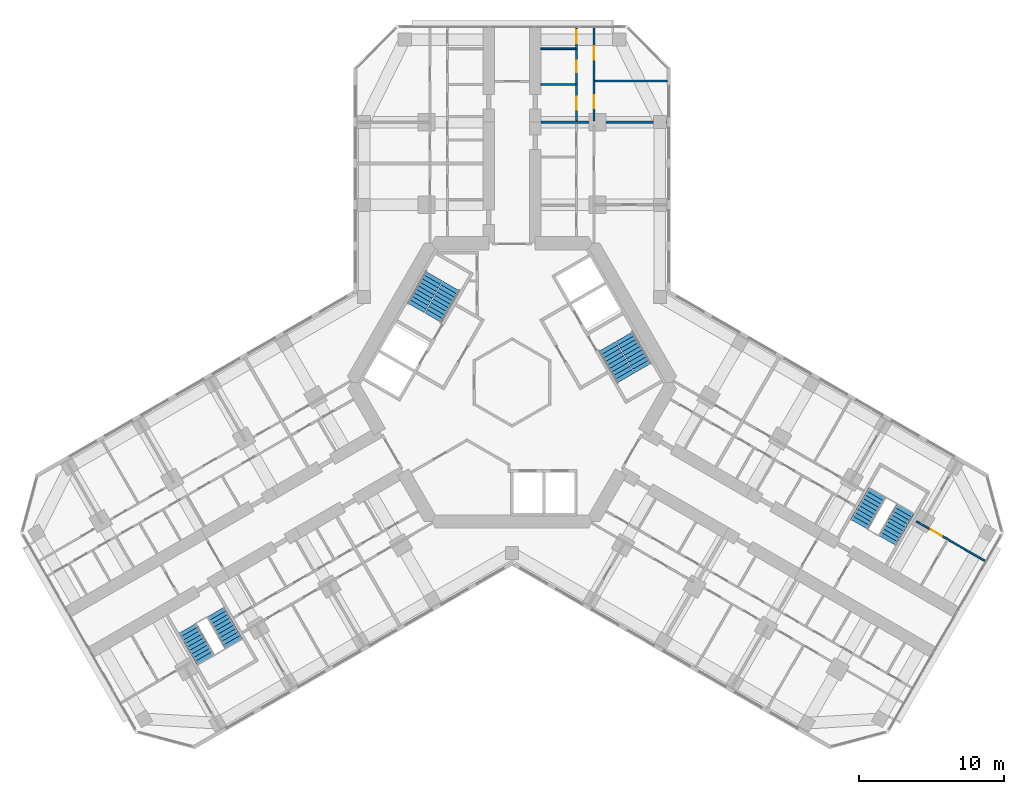
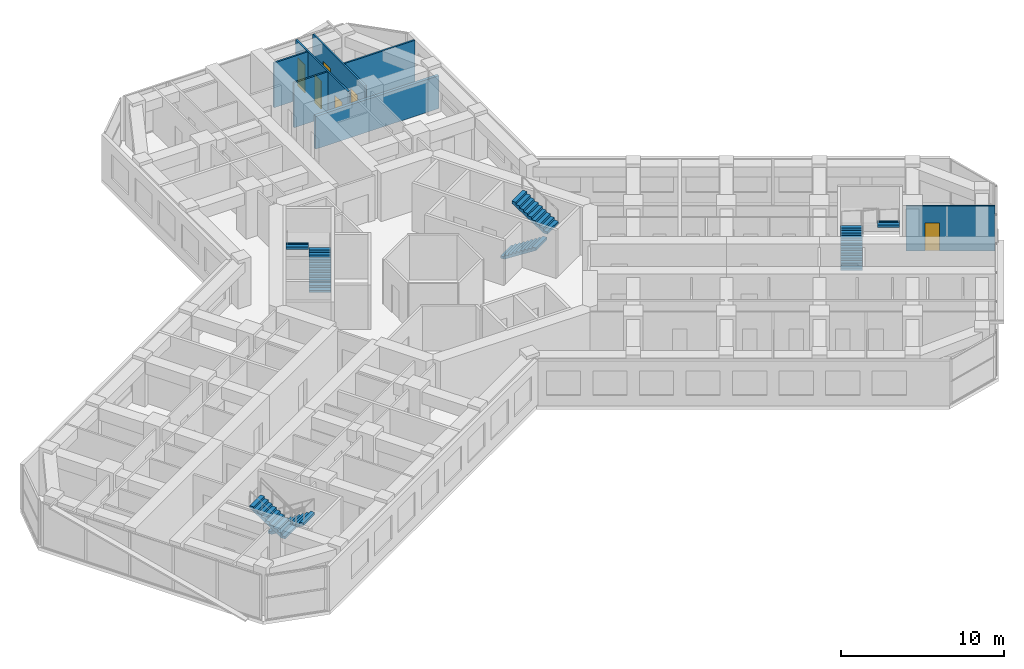
# One storey, part 18 of 19: 8 stair flights, 7 walls, 6 doors, 6 openings, 4 elements without a shape of their own.
"""IFC4 building model written with IfcOpenShell, lengths in metres."""

from ifc_helpers import new_model, si_unit, direction, frame, frame_2d, origin, place, context, subcontext, project, spatial, polyline, rectangle, outline, extrude, material, layer, layer_set, type_object, element, fill, aggregate, save


model = new_model("IFC4")

# Units and contexts
model_context = context("Model", 3, precision=1e-05, world=origin(), true_north=direction((0.0, 1.0)))
body_context = subcontext(model_context, "Body", "Model", "MODEL_VIEW")
ifc_project = project(units=[si_unit("LENGTHUNIT", "METRE"), si_unit("AREAUNIT", "SQUARE_METRE"), si_unit("VOLUMEUNIT", "CUBIC_METRE"), si_unit("PLANEANGLEUNIT", "RADIAN"), si_unit("MASSUNIT", "GRAM", prefix="KILO")], contexts=[model_context])

# Site, building, storey
site_placement = place(None, origin())
site = spatial("IfcSite", under=ifc_project, at=site_placement, CompositionType="ELEMENT")
building_placement = place(site_placement, origin())
building = spatial("IfcBuilding", under=site, at=building_placement, Name="Kosmar Iwan School Tower", CompositionType="ELEMENT")
storey_placement = place(building_placement, frame((0.0, 0.0, 134.60009765625)))
storey = spatial("IfcBuildingStorey", under=building, at=storey_placement, Name="L33", CompositionType="ELEMENT", Elevation=134.60009765625)

# Wall, openings, doors
ifc_material_1 = material(Name="Gypsum board on steel studs", Category="steel")
ifc_layer_1 = layer(ifc_material_1, 0.1201171875)
ifc_layer_set_1 = layer_set([ifc_layer_1], Name="Dwelling partition 120")
wall_type_1 = type_object("IfcWallType", Name="Dwelling partition 120", PredefinedType="PARTITIONING", material=ifc_layer_set_1)
wall_1_placement = place(storey_placement, frame((4.449951171875, 18.050048828125, 0.0), z_axis=(0.0, 0.0, 1.0), x_axis=(0.0, 1.0, 0.0)))
wall_1 = element("IfcWall", 1, at=wall_1_placement, inside=storey, type_object=wall_type_1, Name="Partition L33-AR2-W1", PredefinedType="PARTITIONING", context=body_context, shape_type="SweptSolid", body=[
    extrude(rectangle(XDim=6.39501953125, YDim=0.1201171875, at=frame_2d((3.197509765625, 0.0))), origin(), (0.0, 0.0, 1.0), 3.349853515625),
])
opening_1_placement = place(wall_1_placement, frame((0.75, 0.0, 0.0)))
opening_1 = element("IfcOpeningElement", 2, at=opening_1_placement, cuts=wall_1, Name="Opening D2", PredefinedType="OPENING", context=body_context, shape_type="SweptSolid", body=[
    extrude(rectangle(XDim=0.89990234375, YDim=2.10009765625, at=frame_2d((0.449951171875, 1.050048828125))), frame((0.0, 0.072021484375, 0.0), z_axis=(0.0, -1.0, 0.0), x_axis=(1.0, 0.0, 0.0)), (0.0, 0.0, 1.0), 0.14404296875),
])
opening_2_placement = place(wall_1_placement, frame((3.330078125, 0.0, 0.0)))
opening_2 = element("IfcOpeningElement", 3, at=opening_2_placement, cuts=wall_1, Name="Opening D3", PredefinedType="OPENING", context=body_context, shape_type="SweptSolid", body=[
    extrude(rectangle(XDim=0.800048828125, YDim=2.10009765625, at=frame_2d((0.39990234375, 1.050048828125))), frame((0.0, 0.072021484375, 0.0), z_axis=(0.0, -1.0, 0.0), x_axis=(1.0, 0.0, 0.0)), (0.0, 0.0, 1.0), 0.14404296875),
])
opening_3_placement = place(wall_1_placement, frame((5.330078125, 0.0, 0.0)))
opening_3 = element("IfcOpeningElement", 4, at=opening_3_placement, cuts=wall_1, Name="Opening D2", PredefinedType="OPENING", context=body_context, shape_type="SweptSolid", body=[
    extrude(rectangle(XDim=0.89990234375, YDim=2.10009765625, at=frame_2d((0.449951171875, 1.050048828125))), frame((0.0, 0.072021484375, 0.0), z_axis=(0.0, -1.0, 0.0), x_axis=(1.0, 0.0, 0.0)), (0.0, 0.0, 1.0), 0.14404296875),
])
ifc_material_2 = material(Name="Timber door in timber frame", Category="wood")
door_type_1 = type_object("IfcDoorType", Name="Internal door 900x2100", OperationType="SINGLE_SWING_LEFT", PredefinedType="DOOR", material=ifc_material_2)
door_1_placement = place(opening_1_placement, origin())
door_1 = element("IfcDoor", 5, at=door_1_placement, inside=storey, type_object=door_type_1, Name="Entrance hall door L33-AR2-S1", OperationType="SINGLE_SWING_LEFT", OverallHeight=2.10009765625, OverallWidth=0.89990234375, PredefinedType="DOOR", context=body_context, shape_type="SweptSolid", body=[
    extrude(rectangle(XDim=0.89990234375, YDim=2.10009765625, at=frame_2d((0.449951171875, 1.050048828125))), frame((0.0, 0.02490234375, 0.0), z_axis=(0.0, -1.0, 0.0), x_axis=(1.0, 0.0, 0.0)), (0.0, 0.0, 1.0), 0.050048828125),
])
fill(opening_1, door_1)
door_2_placement = place(opening_3_placement, origin())
door_2 = element("IfcDoor", 6, at=door_2_placement, inside=storey, type_object=door_type_1, Name="Pantry door L33-AR2-S3", OperationType="SINGLE_SWING_RIGHT", OverallHeight=2.10009765625, OverallWidth=0.89990234375, PredefinedType="DOOR", context=body_context, shape_type="SweptSolid", body=[
    extrude(rectangle(XDim=0.89990234375, YDim=2.10009765625, at=frame_2d((0.449951171875, 1.050048828125))), frame((0.0, 0.02490234375, 0.0), z_axis=(0.0, -1.0, 0.0), x_axis=(1.0, 0.0, 0.0)), (0.0, 0.0, 1.0), 0.050048828125),
])
fill(opening_3, door_2)
ifc_material_3 = material(Name="Timber door in timber frame", Category="wood")
door_type_2 = type_object("IfcDoorType", Name="Sanitary room door 800x2100", OperationType="SINGLE_SWING_LEFT", PredefinedType="DOOR", material=ifc_material_3)
door_3_placement = place(opening_2_placement, origin())
door_3 = element("IfcDoor", 7, at=door_3_placement, inside=storey, type_object=door_type_2, Name="Bathroom door L33-AR2-S2", OperationType="SINGLE_SWING_RIGHT", OverallHeight=2.10009765625, OverallWidth=0.800048828125, PredefinedType="DOOR", context=body_context, shape_type="SweptSolid", body=[
    extrude(rectangle(XDim=0.800048828125, YDim=2.10009765625, at=frame_2d((0.39990234375, 1.050048828125))), frame((0.0, 0.02490234375, 0.0), z_axis=(0.0, -1.0, 0.0), x_axis=(1.0, 0.0, 0.0)), (0.0, 0.0, 1.0), 0.050048828125),
])
fill(opening_2, door_3)

wall_2_placement = place(storey_placement, frame((5.64990234375, 18.050048828125, 0.0), z_axis=(0.0, 0.0, 1.0), x_axis=(0.0, 1.0, 0.0)))
wall_2 = element("IfcWall", 8, at=wall_2_placement, inside=storey, type_object=wall_type_1, Name="Partition L33-AR2-W2", PredefinedType="PARTITIONING", context=body_context, shape_type="SweptSolid", body=[
    extrude(rectangle(XDim=6.39501953125, YDim=0.1201171875, at=frame_2d((3.197509765625, 0.0))), origin(), (0.0, 0.0, 1.0), 3.349853515625),
])
opening_4_placement = place(wall_2_placement, frame((0.875, 0.0, 0.0)))
opening_4 = element("IfcOpeningElement", 9, at=opening_4_placement, cuts=wall_2, Name="Opening D2", PredefinedType="OPENING", context=body_context, shape_type="SweptSolid", body=[
    extrude(rectangle(XDim=0.89990234375, YDim=2.10009765625, at=frame_2d((0.449951171875, 1.050048828125))), frame((0.0, 0.072021484375, 0.0), z_axis=(0.0, -1.0, 0.0), x_axis=(1.0, 0.0, 0.0)), (0.0, 0.0, 1.0), 0.14404296875),
])
opening_5_placement = place(wall_2_placement, frame((4.22509765625, 0.0, 0.0)))
opening_5 = element("IfcOpeningElement", 10, at=opening_5_placement, cuts=wall_2, Name="Opening D2", PredefinedType="OPENING", context=body_context, shape_type="SweptSolid", body=[
    extrude(rectangle(XDim=0.89990234375, YDim=2.10009765625, at=frame_2d((0.449951171875, 1.050048828125))), frame((0.0, 0.072021484375, 0.0), z_axis=(0.0, -1.0, 0.0), x_axis=(1.0, 0.0, 0.0)), (0.0, 0.0, 1.0), 0.14404296875),
])
door_4_placement = place(opening_4_placement, origin())
door_4 = element("IfcDoor", 11, at=door_4_placement, inside=storey, type_object=door_type_1, Name="Family room and kitchen door L33-AR2-F1", OperationType="SINGLE_SWING_LEFT", OverallHeight=2.10009765625, OverallWidth=0.89990234375, PredefinedType="DOOR", context=body_context, shape_type="SweptSolid", body=[
    extrude(rectangle(XDim=0.89990234375, YDim=2.10009765625, at=frame_2d((0.449951171875, 1.050048828125))), frame((0.0, 0.02490234375, 0.0), z_axis=(0.0, -1.0, 0.0), x_axis=(1.0, 0.0, 0.0)), (0.0, 0.0, 1.0), 0.050048828125),
])
fill(opening_4, door_4)
door_5_placement = place(opening_5_placement, origin())
door_5 = element("IfcDoor", 12, at=door_5_placement, inside=storey, type_object=door_type_1, Name="Bedroom 1 door L33-AR2-F2", OperationType="SINGLE_SWING_RIGHT", OverallHeight=2.10009765625, OverallWidth=0.89990234375, PredefinedType="DOOR", context=body_context, shape_type="SweptSolid", body=[
    extrude(rectangle(XDim=0.89990234375, YDim=2.10009765625, at=frame_2d((0.449951171875, 1.050048828125))), frame((0.0, 0.02490234375, 0.0), z_axis=(0.0, -1.0, 0.0), x_axis=(1.0, 0.0, 0.0)), (0.0, 0.0, 1.0), 0.050048828125),
])
fill(opening_5, door_5)

# Walls
wall_3_placement = place(storey_placement, frame((5.7099609375, 20.800048828125, 0.0), z_axis=(0.0, 0.0, 1.0), x_axis=(1.0, 0.0, 0.0)))
element("IfcWall", 13, at=wall_3_placement, inside=storey, type_object=wall_type_1, Name="Partition L33-AR2-X1", PredefinedType="PARTITIONING", context=body_context, shape_type="SweptSolid", body=[
    extrude(rectangle(XDim=4.989990234375, YDim=0.1201171875, at=frame_2d((2.4951171875, 0.0))), origin(), (0.0, 0.0, 1.0), 3.349853515625),
])
for number, where, z_axis, x_axis, name in (
    (14, (2.0, 20.550048828125, 0.0), (0.0, 0.0, 1.0), (1.0, 0.0, 0.0), "Partition L33-AR2-Y1"),
    (15, (2.0, 23.010009765625, 0.0), (0.0, 0.0, 1.0), (1.0, 0.0, 0.0), "Partition L33-AR2-Y2"),
):
    element("IfcWall", number, at=place(storey_placement, frame(where, z_axis=z_axis, x_axis=x_axis)), inside=storey, type_object=wall_type_1, Name=name, PredefinedType="PARTITIONING", context=body_context, shape_type="SweptSolid", body=[
        extrude(rectangle(XDim=2.389892578125, YDim=0.1201171875, at=frame_2d((1.19482421875, 0.0))), origin(), (0.0, 0.0, 1.0), 3.349853515625),
    ])

# Wall, opening, door
wall_4_placement = place(storey_placement, frame((27.896484375, -9.58203125, 0.0), z_axis=(0.0, 0.0, 1.0), x_axis=(0.866035508231, -0.499982498177, 0.0)))
wall_4 = element("IfcWall", 16, at=wall_4_placement, inside=storey, type_object=wall_type_1, Name="Partition L33-CL2-TW", PredefinedType="PARTITIONING", context=body_context, shape_type="SweptSolid", body=[
    extrude(rectangle(XDim=5.445068359375, YDim=0.1201171875, at=frame_2d((2.72265625, 0.0))), origin(), (0.0, 0.0, 1.0), 3.349853515625),
])
opening_6_placement = place(wall_4_placement, frame((1.14990234375, 0.0, 0.0)))
opening_6 = element("IfcOpeningElement", 17, at=opening_6_placement, cuts=wall_4, Name="Opening D2", PredefinedType="OPENING", context=body_context, shape_type="SweptSolid", body=[
    extrude(rectangle(XDim=0.89990234375, YDim=2.10009765625, at=frame_2d((0.449951171875, 1.050048828125))), frame((0.0, 0.072021484375, 0.0), z_axis=(0.0, -1.0, 0.0), x_axis=(1.0, 0.0, 0.0)), (0.0, 0.0, 1.0), 0.14404296875),
])
door_6_placement = place(opening_6_placement, origin())
door_6 = element("IfcDoor", 18, at=door_6_placement, inside=storey, type_object=door_type_1, Name="Dressing room door L33-CL2-T3", OperationType="SINGLE_SWING_LEFT", OverallHeight=2.10009765625, OverallWidth=0.89990234375, PredefinedType="DOOR", context=body_context, shape_type="SweptSolid", body=[
    extrude(rectangle(XDim=0.89990234375, YDim=2.10009765625, at=frame_2d((0.449951171875, 1.050048828125))), frame((0.0, 0.02490234375, 0.0), z_axis=(0.0, -1.0, 0.0), x_axis=(1.0, 0.0, 0.0)), (0.0, 0.0, 1.0), 0.050048828125),
])
fill(opening_6, door_6)

# Wall
ifc_material_4 = material(Name="Concrete block masonry", Category="masonry")
ifc_layer_2 = layer(ifc_material_4, 0.199951171875)
ifc_layer_set_2 = layer_set([ifc_layer_2], Name="Party wall 200")
wall_type_2 = type_object("IfcWallType", Name="Party wall 200", PredefinedType="PARTITIONING", material=ifc_layer_set_2)
wall_5_placement = place(storey_placement, frame((2.0, 17.949951171875, 0.0), z_axis=(0.0, 0.0, 1.0), x_axis=(1.0, 0.0, 0.0)))
element("IfcWall", 19, at=wall_5_placement, inside=storey, type_object=wall_type_2, Name="Partition L33-AR2-PW", PredefinedType="PARTITIONING", context=body_context, shape_type="SweptSolid", body=[
    extrude(rectangle(XDim=8.699951171875, YDim=0.199951171875, at=frame_2d((4.35009765625, 0.0))), origin(), (0.0, 0.0, 1.0), 2.449951171875),
])

# Stair, stair flights
ifc_material_5 = material(Name="Concrete C35/45", Category="concrete")
stair_type_1 = type_object("IfcStairType", Name="Escape stair 3600", PredefinedType="HALF_TURN_STAIR", material=ifc_material_5)
stair_1_placement = place(storey_placement, origin())
stair_1 = element("IfcStair", 20, at=stair_1_placement, inside=storey, type_object=stair_type_1, Name="Stair WS2 L33", PredefinedType="HALF_TURN_STAIR")
ifc_material_6 = material(Name="Concrete C35/45", Category="concrete")
stair_flight_type_1 = type_object("IfcStairFlightType", Name="Escape stair flight 1350", PredefinedType="STRAIGHT", material=ifc_material_6)
stair_flight_1_placement = place(storey_placement, frame((-20.44189453125, -15.843505859375, 0.0), z_axis=(0.0, 0.0, 1.0), x_axis=(0.5, -0.866025403784, 0.0)))
stair_flight_1 = element("IfcStairFlight", 21, at=stair_flight_1_placement, type_object=stair_flight_type_1, Name="WS2 flight 1", NumberOfRisers=10, NumberOfTreads=9, PredefinedType="STRAIGHT", RiserHeight=0.18, TreadLength=0.28, context=body_context, shape_type="SweptSolid", body=[
    extrude(outline(polyline([(0.0, 0.0), (0.0, 0.179931640625), (0.280029296875, 0.179931640625), (0.280029296875, 0.360107421875), (0.56005859375, 0.360107421875), (0.56005859375, 0.5400390625), (0.840087890625, 0.5400390625), (0.840087890625, 0.719970703125), (1.1201171875, 0.719970703125), (1.1201171875, 0.89990234375), (1.39990234375, 0.89990234375), (1.39990234375, 1.080078125), (1.679931640625, 1.080078125), (1.679931640625, 1.260009765625), (1.9599609375, 1.260009765625), (1.9599609375, 1.43994140625), (2.239990234375, 1.43994140625), (2.239990234375, 1.6201171875), (2.52001953125, 1.6201171875), (2.52001953125, 1.800048828125), (2.52001953125, 1.44189453125), (0.277099609375, 0.0), (0.0, 0.0)])), frame((0.0, 0.675048828125, 0.0), z_axis=(0.0, -1.0, 0.0), x_axis=(1.0, 0.0, 0.0)), (0.0, 0.0, 1.0), 1.35009765625),
])
stair_flight_2_placement = place(storey_placement, frame((-21.13037109375, -19.15087890625, 1.7998046875), z_axis=(0.0, 0.0, 1.0), x_axis=(-0.5, 0.866025403784, 0.0)))
stair_flight_2 = element("IfcStairFlight", 22, at=stair_flight_2_placement, type_object=stair_flight_type_1, Name="WS2 flight 2", NumberOfRisers=10, NumberOfTreads=9, PredefinedType="STRAIGHT", RiserHeight=0.18, TreadLength=0.28, context=body_context, shape_type="SweptSolid", body=[
    extrude(outline(polyline([(0.0, 0.0), (0.0, 0.179931640625), (0.280029296875, 0.179931640625), (0.280029296875, 0.360107421875), (0.56005859375, 0.360107421875), (0.56005859375, 0.5400390625), (0.840087890625, 0.5400390625), (0.840087890625, 0.719970703125), (1.1201171875, 0.719970703125), (1.1201171875, 0.89990234375), (1.39990234375, 0.89990234375), (1.39990234375, 1.080078125), (1.679931640625, 1.080078125), (1.679931640625, 1.260009765625), (1.9599609375, 1.260009765625), (1.9599609375, 1.43994140625), (2.239990234375, 1.43994140625), (2.239990234375, 1.6201171875), (2.52001953125, 1.6201171875), (2.52001953125, 1.800048828125), (2.52001953125, 1.44189453125), (0.277099609375, 0.0), (0.0, 0.0)])), frame((0.0, 0.675048828125, 0.0), z_axis=(0.0, -1.0, 0.0), x_axis=(1.0, 0.0, 0.0)), (0.0, 0.0, 1.0), 1.35009765625),
])
aggregate(stair_1, [stair_flight_1, stair_flight_2])

stair_2_placement = place(storey_placement, origin())
stair_2 = element("IfcStair", 23, at=stair_2_placement, inside=storey, type_object=stair_type_1, Name="Stair WS3 L33", PredefinedType="HALF_TURN_STAIR")
stair_flight_3_placement = place(storey_placement, frame((23.94189453125, -9.781494140625, 0.0), z_axis=(0.0, 0.0, 1.0), x_axis=(0.5, 0.866025403784, 0.0)))
stair_flight_3 = element("IfcStairFlight", 24, at=stair_flight_3_placement, type_object=stair_flight_type_1, Name="WS3 flight 1", NumberOfRisers=10, NumberOfTreads=9, PredefinedType="STRAIGHT", RiserHeight=0.18, TreadLength=0.28, context=body_context, shape_type="SweptSolid", body=[
    extrude(outline(polyline([(0.0, 0.0), (0.0, 0.179931640625), (0.280029296875, 0.179931640625), (0.280029296875, 0.360107421875), (0.56005859375, 0.360107421875), (0.56005859375, 0.5400390625), (0.840087890625, 0.5400390625), (0.840087890625, 0.719970703125), (1.1201171875, 0.719970703125), (1.1201171875, 0.89990234375), (1.39990234375, 0.89990234375), (1.39990234375, 1.080078125), (1.679931640625, 1.080078125), (1.679931640625, 1.260009765625), (1.9599609375, 1.260009765625), (1.9599609375, 1.43994140625), (2.239990234375, 1.43994140625), (2.239990234375, 1.6201171875), (2.52001953125, 1.6201171875), (2.52001953125, 1.800048828125), (2.52001953125, 1.44189453125), (0.277099609375, 0.0), (0.0, 0.0)])), frame((0.0, 0.675048828125, 0.0), z_axis=(0.0, -1.0, 0.0), x_axis=(1.0, 0.0, 0.0)), (0.0, 0.0, 1.0), 1.35009765625),
])
stair_flight_4_placement = place(storey_placement, frame((27.150390625, -8.72412109375, 1.7998046875), z_axis=(0.0, 0.0, 1.0), x_axis=(-0.5, -0.866025403784, 0.0)))
stair_flight_4 = element("IfcStairFlight", 25, at=stair_flight_4_placement, type_object=stair_flight_type_1, Name="WS3 flight 2", NumberOfRisers=10, NumberOfTreads=9, PredefinedType="STRAIGHT", RiserHeight=0.18, TreadLength=0.28, context=body_context, shape_type="SweptSolid", body=[
    extrude(outline(polyline([(0.0, 0.0), (0.0, 0.179931640625), (0.280029296875, 0.179931640625), (0.280029296875, 0.360107421875), (0.56005859375, 0.360107421875), (0.56005859375, 0.5400390625), (0.840087890625, 0.5400390625), (0.840087890625, 0.719970703125), (1.1201171875, 0.719970703125), (1.1201171875, 0.89990234375), (1.39990234375, 0.89990234375), (1.39990234375, 1.080078125), (1.679931640625, 1.080078125), (1.679931640625, 1.260009765625), (1.9599609375, 1.260009765625), (1.9599609375, 1.43994140625), (2.239990234375, 1.43994140625), (2.239990234375, 1.6201171875), (2.52001953125, 1.6201171875), (2.52001953125, 1.800048828125), (2.52001953125, 1.44189453125), (0.277099609375, 0.0), (0.0, 0.0)])), frame((0.0, 0.675048828125, 0.0), z_axis=(0.0, -1.0, 0.0), x_axis=(1.0, 0.0, 0.0)), (0.0, 0.0, 1.0), 1.35009765625),
])
aggregate(stair_2, [stair_flight_3, stair_flight_4])

ifc_material_7 = material(Name="Concrete C35/45", Category="concrete")
stair_type_2 = type_object("IfcStairType", Name="Core stair 2750", PredefinedType="HALF_TURN_STAIR", material=ifc_material_7)
stair_3_placement = place(storey_placement, origin())
stair_3 = element("IfcStair", 26, at=stair_3_placement, inside=storey, type_object=stair_type_2, Name="Stair ST2 L33", PredefinedType="HALF_TURN_STAIR")
ifc_material_8 = material(Name="Concrete C35/45", Category="concrete")
stair_flight_type_2 = type_object("IfcStairFlightType", Name="Stair flight 1350", PredefinedType="STRAIGHT", material=ifc_material_8)
stair_flight_5_placement = place(storey_placement, frame((-5.42724609375, 4.44970703125, 0.0), z_axis=(0.0, 0.0, 1.0), x_axis=(0.5, 0.866025403784, 0.0)))
stair_flight_5 = element("IfcStairFlight", 27, at=stair_flight_5_placement, type_object=stair_flight_type_2, Name="ST2 flight 1", NumberOfRisers=10, NumberOfTreads=9, PredefinedType="STRAIGHT", RiserHeight=0.18, TreadLength=0.28, context=body_context, shape_type="SweptSolid", body=[
    extrude(outline(polyline([(0.0, 0.0), (0.0, 0.179931640625), (0.280029296875, 0.179931640625), (0.280029296875, 0.360107421875), (0.56005859375, 0.360107421875), (0.56005859375, 0.5400390625), (0.840087890625, 0.5400390625), (0.840087890625, 0.719970703125), (1.1201171875, 0.719970703125), (1.1201171875, 0.89990234375), (1.39990234375, 0.89990234375), (1.39990234375, 1.080078125), (1.679931640625, 1.080078125), (1.679931640625, 1.260009765625), (1.9599609375, 1.260009765625), (1.9599609375, 1.43994140625), (2.239990234375, 1.43994140625), (2.239990234375, 1.6201171875), (2.52001953125, 1.6201171875), (2.52001953125, 1.800048828125), (2.52001953125, 1.44189453125), (0.277099609375, 0.0), (0.0, 0.0)])), frame((0.0, 0.675048828125, 0.0), z_axis=(0.0, -1.0, 0.0), x_axis=(1.0, 0.0, 0.0)), (0.0, 0.0, 1.0), 1.35009765625),
])
stair_flight_6_placement = place(storey_placement, frame((-5.379638671875, 7.33203125, 1.7998046875), z_axis=(0.0, 0.0, 1.0), x_axis=(-0.5, -0.866025403784, 0.0)))
stair_flight_6 = element("IfcStairFlight", 28, at=stair_flight_6_placement, type_object=stair_flight_type_2, Name="ST2 flight 2", NumberOfRisers=10, NumberOfTreads=9, PredefinedType="STRAIGHT", RiserHeight=0.18, TreadLength=0.28, context=body_context, shape_type="SweptSolid", body=[
    extrude(outline(polyline([(0.0, 0.0), (0.0, 0.179931640625), (0.280029296875, 0.179931640625), (0.280029296875, 0.360107421875), (0.56005859375, 0.360107421875), (0.56005859375, 0.5400390625), (0.840087890625, 0.5400390625), (0.840087890625, 0.719970703125), (1.1201171875, 0.719970703125), (1.1201171875, 0.89990234375), (1.39990234375, 0.89990234375), (1.39990234375, 1.080078125), (1.679931640625, 1.080078125), (1.679931640625, 1.260009765625), (1.9599609375, 1.260009765625), (1.9599609375, 1.43994140625), (2.239990234375, 1.43994140625), (2.239990234375, 1.6201171875), (2.52001953125, 1.6201171875), (2.52001953125, 1.800048828125), (2.52001953125, 1.44189453125), (0.277099609375, 0.0), (0.0, 0.0)])), frame((0.0, 0.675048828125, 0.0), z_axis=(0.0, -1.0, 0.0), x_axis=(1.0, 0.0, 0.0)), (0.0, 0.0, 1.0), 1.35009765625),
])
aggregate(stair_3, [stair_flight_5, stair_flight_6])

stair_4_placement = place(storey_placement, origin())
stair_4 = element("IfcStair", 29, at=stair_4_placement, inside=storey, type_object=stair_type_2, Name="Stair ST1 L33", PredefinedType="HALF_TURN_STAIR")
stair_flight_7_placement = place(storey_placement, frame((6.567138671875, 2.475341796875, 0.0), z_axis=(0.0, 0.0, 1.0), x_axis=(0.5, -0.866025403784, 0.0)))
stair_flight_7 = element("IfcStairFlight", 30, at=stair_flight_7_placement, type_object=stair_flight_type_2, Name="ST1 flight 1", NumberOfRisers=10, NumberOfTreads=9, PredefinedType="STRAIGHT", RiserHeight=0.18, TreadLength=0.28, context=body_context, shape_type="SweptSolid", body=[
    extrude(outline(polyline([(0.0, 0.0), (0.0, 0.179931640625), (0.280029296875, 0.179931640625), (0.280029296875, 0.360107421875), (0.56005859375, 0.360107421875), (0.56005859375, 0.5400390625), (0.840087890625, 0.5400390625), (0.840087890625, 0.719970703125), (1.1201171875, 0.719970703125), (1.1201171875, 0.89990234375), (1.39990234375, 0.89990234375), (1.39990234375, 1.080078125), (1.679931640625, 1.080078125), (1.679931640625, 1.260009765625), (1.9599609375, 1.260009765625), (1.9599609375, 1.43994140625), (2.239990234375, 1.43994140625), (2.239990234375, 1.6201171875), (2.52001953125, 1.6201171875), (2.52001953125, 1.800048828125), (2.52001953125, 1.44189453125), (0.277099609375, 0.0), (0.0, 0.0)])), frame((0.0, 0.675048828125, 0.0), z_axis=(0.0, -1.0, 0.0), x_axis=(1.0, 0.0, 0.0)), (0.0, 0.0, 1.0), 1.35009765625),
])
stair_flight_8_placement = place(storey_placement, frame((9.03955078125, 0.992919921875, 1.7998046875), z_axis=(0.0, 0.0, 1.0), x_axis=(-0.5, 0.866025403784, 0.0)))
stair_flight_8 = element("IfcStairFlight", 31, at=stair_flight_8_placement, type_object=stair_flight_type_2, Name="ST1 flight 2", NumberOfRisers=10, NumberOfTreads=9, PredefinedType="STRAIGHT", RiserHeight=0.18, TreadLength=0.28, context=body_context, shape_type="SweptSolid", body=[
    extrude(outline(polyline([(0.0, 0.0), (0.0, 0.179931640625), (0.280029296875, 0.179931640625), (0.280029296875, 0.360107421875), (0.56005859375, 0.360107421875), (0.56005859375, 0.5400390625), (0.840087890625, 0.5400390625), (0.840087890625, 0.719970703125), (1.1201171875, 0.719970703125), (1.1201171875, 0.89990234375), (1.39990234375, 0.89990234375), (1.39990234375, 1.080078125), (1.679931640625, 1.080078125), (1.679931640625, 1.260009765625), (1.9599609375, 1.260009765625), (1.9599609375, 1.43994140625), (2.239990234375, 1.43994140625), (2.239990234375, 1.6201171875), (2.52001953125, 1.6201171875), (2.52001953125, 1.800048828125), (2.52001953125, 1.44189453125), (0.277099609375, 0.0), (0.0, 0.0)])), frame((0.0, 0.675048828125, 0.0), z_axis=(0.0, -1.0, 0.0), x_axis=(1.0, 0.0, 0.0)), (0.0, 0.0, 1.0), 1.35009765625),
])
aggregate(stair_4, [stair_flight_7, stair_flight_8])

save(model, "model.ifc")
